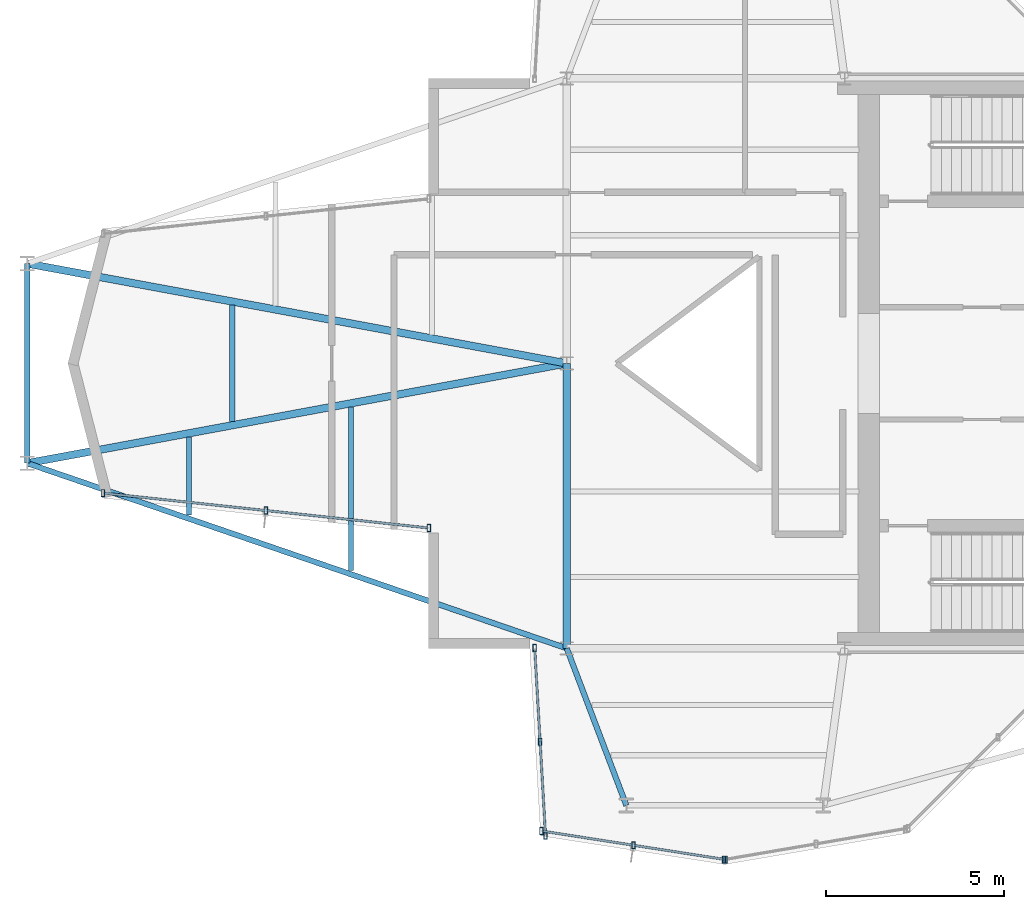
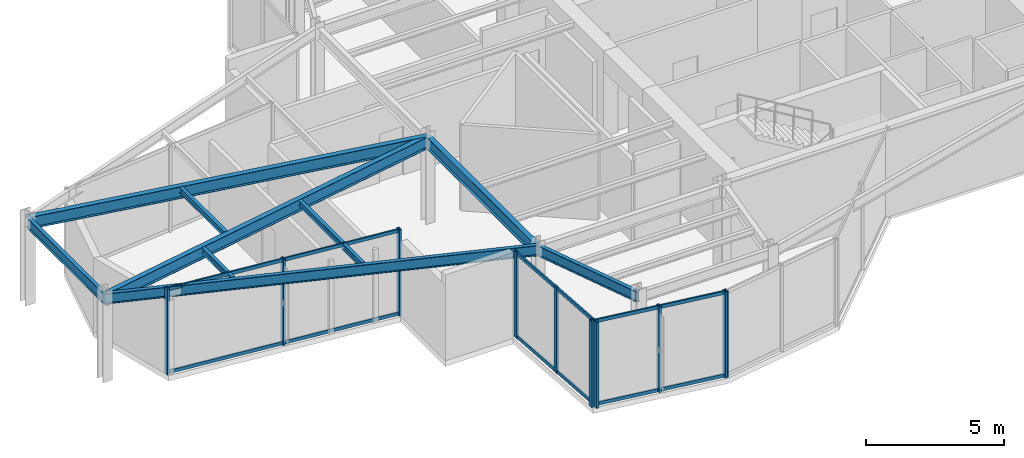
# One storey, part 2 of 13: 16 members, 9 beams, 4 elements without a shape of their own.
"""IFC4 building model written with IfcOpenShell, lengths in metres."""

from ifc_helpers import new_model, si_unit, direction, frame, origin, origin_2d, place, context, subcontext, project, spatial, hollow_rectangle, i_section, extrude, material, layer, layer_set, material_profile, profile_set, type_object, element, aggregate, save


model = new_model("IFC4")

# Units and contexts
model_context = context("Model", 3, precision=1e-05, world=origin(), true_north=direction((0.0, 1.0)))
body_context = subcontext(model_context, "Body", "Model", "MODEL_VIEW")
ifc_project = project(units=[si_unit("LENGTHUNIT", "METRE"), si_unit("AREAUNIT", "SQUARE_METRE"), si_unit("VOLUMEUNIT", "CUBIC_METRE"), si_unit("PLANEANGLEUNIT", "RADIAN"), si_unit("MASSUNIT", "GRAM", prefix="KILO")], contexts=[model_context])

# Site, building, storey
site_placement = place(None, origin())
site = spatial("IfcSite", under=ifc_project, at=site_placement, CompositionType="ELEMENT")
building_placement = place(site_placement, origin())
building = spatial("IfcBuilding", under=site, at=building_placement, Name="Veymaron Broadcast Tower", CompositionType="ELEMENT")
storey_placement = place(building_placement, frame((0.0, 0.0, 303.300048828125)))
storey = spatial("IfcBuildingStorey", under=building, at=storey_placement, Name="L71", CompositionType="ELEMENT", Elevation=303.300048828125)

# Beams
ifc_material_1 = material(Name="Structural steel ASTM A992 Gr 50", Category="steel")
ifc_material_profile_1 = material_profile(ifc_material_1, i_section(OverallWidth=0.208984375, OverallDepth=0.528076171875, WebThickness=0.009521484375, FlangeThickness=0.01318359375, at=origin_2d()), Name="W530X82")
ifc_profile_set_1 = profile_set([ifc_material_profile_1], Name="Structural steel ASTM A992 Gr 50")
beam_type_1 = type_object("IfcBeamType", Name="BM-FG4", PredefinedType="BEAM", material=ifc_profile_set_1)
beam_1_placement = place(storey_placement, frame((31.199951171875, 16.0, 3.5458984375), z_axis=(0.0, 1.0, 0.0), x_axis=(-1.0, 0.0, 0.0)))
element("IfcBeam", 1, at=beam_1_placement, inside=storey, type_object=beam_type_1, Name="L71 primary structural floor girder", PredefinedType="BEAM", context=body_context, shape_type="SweptSolid", body=[
    extrude(i_section(OverallWidth=0.208984375, OverallDepth=0.528076171875, WebThickness=0.009521484375, FlangeThickness=0.01318359375, at=origin_2d()), origin(), (0.0, 0.0, 1.0), 8.0),
])
for number, where, z_axis, x_axis, name in (
    (2, (16.052490234375, 21.197998046875, 3.5458984375), (0.98331782422, 0.181895729943, 0.0), (-0.181895729943, 0.98331782422, 0.0), "L71 primary structural floor girder"),
    (3, (16.052490234375, 26.802001953125, 3.5458984375), (0.98331782422, -0.181895729943, 0.0), (0.181895729943, 0.98331782422, 0.0), "L71 primary structural floor girder"),
):
    element("IfcBeam", number, at=place(storey_placement, frame(where, z_axis=z_axis, x_axis=x_axis)), inside=storey, type_object=beam_type_1, Name=name, PredefinedType="BEAM", context=body_context, shape_type="SweptSolid", body=[
        extrude(i_section(OverallWidth=0.208984375, OverallDepth=0.528076171875, WebThickness=0.009521484375, FlangeThickness=0.01318359375, at=origin_2d()), origin(), (0.0, 0.0, 1.0), 15.404541015625),
    ])
ifc_material_profile_2 = material_profile(ifc_material_1, i_section(OverallWidth=0.14599609375, OverallDepth=0.258056640625, WebThickness=0.006103515625, FlangeThickness=0.009033203125, at=origin_2d()), Name="W250X33")
ifc_profile_set_2 = profile_set([ifc_material_profile_2], Name="Structural steel ASTM A992 Gr 50")
beam_type_2 = type_object("IfcBeamType", Name="BM-JS4", PredefinedType="JOIST", material=ifc_profile_set_2)
beam_2_placement = place(storey_placement, frame((20.5966796875, 19.738525390625, 3.680908203125), z_axis=(0.0, 1.0, 0.0), x_axis=(-1.0, 0.0, 0.0)))
element("IfcBeam", 4, at=beam_2_placement, inside=storey, type_object=beam_type_2, Name="L71 Arm-A secondary joist 1S", PredefinedType="JOIST", context=body_context, shape_type="SweptSolid", body=[
    extrude(i_section(OverallWidth=0.14599609375, OverallDepth=0.258056640625, WebThickness=0.006103515625, FlangeThickness=0.009033203125, at=origin_2d()), origin(), (0.0, 0.0, 1.0), 2.2001953125),
])
beam_3_placement = place(storey_placement, frame((21.80859375, 22.36279296875, 3.680908203125), z_axis=(0.0, 1.0, 0.0), x_axis=(-1.0, 0.0, 0.0)))
element("IfcBeam", 5, at=beam_3_placement, inside=storey, type_object=beam_type_2, Name="L71 Arm-A secondary joist 1M", PredefinedType="JOIST", context=body_context, shape_type="SweptSolid", body=[
    extrude(i_section(OverallWidth=0.14599609375, OverallDepth=0.258056640625, WebThickness=0.006103515625, FlangeThickness=0.009033203125, at=origin_2d()), origin(), (0.0, 0.0, 1.0), 3.2744140625),
])
beam_4_placement = place(storey_placement, frame((25.14111328125, 18.17919921875, 3.680908203125), z_axis=(0.0, 1.0, 0.0), x_axis=(-1.0, 0.0, 0.0)))
element("IfcBeam", 6, at=beam_4_placement, inside=storey, type_object=beam_type_2, Name="L71 Arm-A secondary joist 2S", PredefinedType="JOIST", context=body_context, shape_type="SweptSolid", body=[
    extrude(i_section(OverallWidth=0.14599609375, OverallDepth=0.258056640625, WebThickness=0.006103515625, FlangeThickness=0.009033203125, at=origin_2d()), origin(), (0.0, 0.0, 1.0), 4.60009765625),
])
ifc_material_profile_3 = material_profile(ifc_material_1, i_section(OverallWidth=0.154052734375, OverallDepth=0.458984375, WebThickness=0.009033203125, FlangeThickness=0.015380859375, at=origin_2d()), Name="W460X68")
ifc_profile_set_3 = profile_set([ifc_material_profile_3], Name="Structural steel ASTM A992 Gr 50")
beam_type_3 = type_object("IfcBeamType", Name="BM-SP2", PredefinedType="SPANDREL", material=ifc_profile_set_3)
beam_5_placement = place(storey_placement, frame((16.052490234375, 21.197998046875, 3.58056640625), z_axis=(0.94585811637, -0.324580380949, 0.0), x_axis=(0.324580380949, 0.94585811637, 0.0)))
element("IfcBeam", 7, at=beam_5_placement, inside=storey, type_object=beam_type_3, Name="L71 primary structural floor girder", PredefinedType="SPANDREL", context=body_context, shape_type="SweptSolid", body=[
    extrude(i_section(OverallWidth=0.154052734375, OverallDepth=0.458984375, WebThickness=0.009033203125, FlangeThickness=0.015380859375, at=origin_2d()), origin(), (0.0, 0.0, 1.0), 16.014404296875),
])
beam_6_placement = place(storey_placement, frame((16.052490234375, 21.197998046875, 3.58056640625), z_axis=(0.0, 1.0, 0.0), x_axis=(-1.0, 0.0, 0.0)))
element("IfcBeam", 8, at=beam_6_placement, inside=storey, type_object=beam_type_3, Name="L71 primary structural floor girder", PredefinedType="SPANDREL", context=body_context, shape_type="SweptSolid", body=[
    extrude(i_section(OverallWidth=0.154052734375, OverallDepth=0.458984375, WebThickness=0.009033203125, FlangeThickness=0.015380859375, at=origin_2d()), origin(), (0.0, 0.0, 1.0), 5.60400390625),
])
beam_7_placement = place(storey_placement, frame((31.199951171875, 16.0, 3.58056640625), z_axis=(0.354839811516, -0.934927113824, 0.0), x_axis=(0.934927113824, 0.354839811516, 0.0)))
element("IfcBeam", 9, at=beam_7_placement, inside=storey, type_object=beam_type_3, Name="L71 primary structural floor girder", PredefinedType="SPANDREL", context=body_context, shape_type="SweptSolid", body=[
    extrude(i_section(OverallWidth=0.154052734375, OverallDepth=0.458984375, WebThickness=0.009033203125, FlangeThickness=0.015380859375, at=origin_2d()), origin(), (0.0, 0.0, 1.0), 4.71923828125),
])

# Curtain wall, members
ifc_material_2 = material(Name="Anodised aluminium AA 6063-T6 and laminated low-E dark glass", Category="aluminium")
ifc_layer = layer(ifc_material_2, 0.179931640625)
ifc_layer_set = layer_set([ifc_layer], Name="Anodised aluminium AA 6063-T6 and laminated low-E dark glass")
curtain_wall_type = type_object("IfcCurtainWallType", Name="CW-SYS-06", PredefinedType="NOTDEFINED", material=ifc_layer_set)
curtain_wall_1_placement = place(storey_placement, origin())
curtain_wall_1 = element("IfcCurtainWall", 10, at=curtain_wall_1_placement, inside=storey, type_object=curtain_wall_type, Name="L71 dark-glass curtain wall CW-L71-E14-1", PredefinedType="NOTDEFINED")
ifc_material_3 = material(Name="Anodised aluminium AA 6063-T6", Category="aluminium")
ifc_material_profile_4 = material_profile(ifc_material_3, hollow_rectangle(XDim=0.10009765625, YDim=0.199951171875, WallThickness=0.010009765625, at=origin_2d()), Name="RHS200X100X10")
ifc_profile_set_4 = profile_set([ifc_material_profile_4], Name="Anodised aluminium AA 6063-T6")
member_type_1 = type_object("IfcMemberType", Name="CW-MUL-01", PredefinedType="MULLION", material=ifc_profile_set_4)
member_1_placement = place(storey_placement, frame((18.1748046875, 20.35888671875, 0.0), z_axis=(0.0, 0.0, 1.0), x_axis=(1.0, 0.0, 0.0)))
member_1 = element("IfcMember", 11, at=member_1_placement, type_object=member_type_1, Name="CW-L71-E14-1 mullion 0", PredefinedType="MULLION", context=body_context, shape_type="SweptSolid", body=[
    extrude(hollow_rectangle(XDim=0.10009765625, YDim=0.199951171875, WallThickness=0.010009765625, at=origin_2d()), origin(), (0.0, 0.0, 1.0), 3.81005859375),
])
member_2_placement = place(storey_placement, frame((22.751708984375, 19.869140625, 0.0), z_axis=(0.0, 0.0, 1.0), x_axis=(1.0, 0.0, 0.0)))
member_2 = element("IfcMember", 12, at=member_2_placement, type_object=member_type_1, Name="CW-L71-E14-1 mullion 1", PredefinedType="MULLION", context=body_context, shape_type="SweptSolid", body=[
    extrude(hollow_rectangle(XDim=0.10009765625, YDim=0.199951171875, WallThickness=0.010009765625, at=origin_2d()), origin(), (0.0, 0.0, 1.0), 3.81005859375),
])
member_3_placement = place(storey_placement, frame((27.32861328125, 19.37939453125, 0.0), z_axis=(0.0, 0.0, 1.0), x_axis=(1.0, 0.0, 0.0)))
member_3 = element("IfcMember", 13, at=member_3_placement, type_object=member_type_1, Name="CW-L71-E14-1 mullion 2", PredefinedType="MULLION", context=body_context, shape_type="SweptSolid", body=[
    extrude(hollow_rectangle(XDim=0.10009765625, YDim=0.199951171875, WallThickness=0.010009765625, at=origin_2d()), origin(), (0.0, 0.0, 1.0), 3.81005859375),
])

curtain_wall_2_placement = place(storey_placement, origin())
curtain_wall_2 = element("IfcCurtainWall", 14, at=curtain_wall_2_placement, inside=storey, type_object=curtain_wall_type, Name="L71 dark-glass curtain wall CW-L71-E17-1", PredefinedType="NOTDEFINED")
member_4_placement = place(storey_placement, frame((30.2998046875, 16.008056640625, 0.0), z_axis=(0.0, 0.0, 1.0), x_axis=(1.0, 0.0, 0.0)))
member_4 = element("IfcMember", 15, at=member_4_placement, type_object=member_type_1, Name="CW-L71-E17-1 mullion 0", PredefinedType="MULLION", context=body_context, shape_type="SweptSolid", body=[
    extrude(hollow_rectangle(XDim=0.10009765625, YDim=0.199951171875, WallThickness=0.010009765625, at=origin_2d()), origin(), (0.0, 0.0, 1.0), 3.81005859375),
])
member_5_placement = place(storey_placement, frame((30.451904296875, 13.37548828125, 0.0), z_axis=(0.0, 0.0, 1.0), x_axis=(1.0, 0.0, 0.0)))
member_5 = element("IfcMember", 16, at=member_5_placement, type_object=member_type_1, Name="CW-L71-E17-1 mullion 1", PredefinedType="MULLION", context=body_context, shape_type="SweptSolid", body=[
    extrude(hollow_rectangle(XDim=0.10009765625, YDim=0.199951171875, WallThickness=0.010009765625, at=origin_2d()), origin(), (0.0, 0.0, 1.0), 3.81005859375),
])
member_6_placement = place(storey_placement, frame((30.60400390625, 10.742919921875, 0.0), z_axis=(0.0, 0.0, 1.0), x_axis=(1.0, 0.0, 0.0)))
member_6 = element("IfcMember", 17, at=member_6_placement, type_object=member_type_1, Name="CW-L71-E17-1 mullion 2", PredefinedType="MULLION", context=body_context, shape_type="SweptSolid", body=[
    extrude(hollow_rectangle(XDim=0.10009765625, YDim=0.199951171875, WallThickness=0.010009765625, at=origin_2d()), origin(), (0.0, 0.0, 1.0), 3.81005859375),
])

curtain_wall_3_placement = place(storey_placement, origin())
curtain_wall_3 = element("IfcCurtainWall", 18, at=curtain_wall_3_placement, inside=storey, type_object=curtain_wall_type, Name="L71 dark-glass curtain wall CW-L71-E18-1", PredefinedType="NOTDEFINED")
member_7_placement = place(storey_placement, frame((30.48583984375, 10.873046875, 0.0), z_axis=(0.0, 0.0, 1.0), x_axis=(1.0, 0.0, 0.0)))
member_7 = element("IfcMember", 19, at=member_7_placement, type_object=member_type_1, Name="CW-L71-E18-1 mullion 0", PredefinedType="MULLION", context=body_context, shape_type="SweptSolid", body=[
    extrude(hollow_rectangle(XDim=0.10009765625, YDim=0.199951171875, WallThickness=0.010009765625, at=origin_2d()), origin(), (0.0, 0.0, 1.0), 3.81005859375),
])
member_8_placement = place(storey_placement, frame((33.072265625, 10.47119140625, 0.0), z_axis=(0.0, 0.0, 1.0), x_axis=(1.0, 0.0, 0.0)))
member_8 = element("IfcMember", 20, at=member_8_placement, type_object=member_type_1, Name="CW-L71-E18-1 mullion 1", PredefinedType="MULLION", context=body_context, shape_type="SweptSolid", body=[
    extrude(hollow_rectangle(XDim=0.10009765625, YDim=0.199951171875, WallThickness=0.010009765625, at=origin_2d()), origin(), (0.0, 0.0, 1.0), 3.81005859375),
])
member_9_placement = place(storey_placement, frame((35.65869140625, 10.069091796875, 0.0), z_axis=(0.0, 0.0, 1.0), x_axis=(1.0, 0.0, 0.0)))
member_9 = element("IfcMember", 21, at=member_9_placement, type_object=member_type_1, Name="CW-L71-E18-1 mullion 2", PredefinedType="MULLION", context=body_context, shape_type="SweptSolid", body=[
    extrude(hollow_rectangle(XDim=0.10009765625, YDim=0.199951171875, WallThickness=0.010009765625, at=origin_2d()), origin(), (0.0, 0.0, 1.0), 3.81005859375),
])

# Curtain wall, member
curtain_wall_4_placement = place(storey_placement, origin())
curtain_wall_4 = element("IfcCurtainWall", 22, at=curtain_wall_4_placement, inside=storey, type_object=curtain_wall_type, Name="L71 dark-glass curtain wall CW-L71-E19-1", PredefinedType="NOTDEFINED")
member_10_placement = place(storey_placement, frame((35.613525390625, 10.06884765625, 0.0), z_axis=(0.0, 0.0, 1.0), x_axis=(1.0, 0.0, 0.0)))
member_10 = element("IfcMember", 23, at=member_10_placement, type_object=member_type_1, Name="CW-L71-E19-1 mullion 0", PredefinedType="MULLION", context=body_context, shape_type="SweptSolid", body=[
    extrude(hollow_rectangle(XDim=0.10009765625, YDim=0.199951171875, WallThickness=0.010009765625, at=origin_2d()), origin(), (0.0, 0.0, 1.0), 3.81005859375),
])
aggregate(curtain_wall_4, [member_10])

# Member
ifc_material_profile_5 = material_profile(ifc_material_3, hollow_rectangle(XDim=0.06494140625, YDim=0.14990234375, WallThickness=0.00390625, at=origin_2d()), Name="AL150X65X4")
ifc_profile_set_5 = profile_set([ifc_material_profile_5], Name="Anodised aluminium AA 6063-T6")
member_type_2 = type_object("IfcMemberType", Name="CW-TRN-01", PredefinedType="USERDEFINED", material=ifc_profile_set_5)
member_11_placement = place(storey_placement, frame((18.224609375, 20.353759765625, 0.070068359375), z_axis=(0.994319089673, -0.106440349081, 0.0), x_axis=(0.106440349081, 0.994319089673, 0.0)))
member_11 = element("IfcMember", 24, at=member_11_placement, type_object=member_type_2, Name="CW-L71-E14-1 transom B", ObjectType="TRANSOM", PredefinedType="USERDEFINED", context=body_context, shape_type="SweptSolid", body=[
    extrude(hollow_rectangle(XDim=0.06494140625, YDim=0.14990234375, WallThickness=0.00390625, at=origin_2d()), origin(), (0.0, 0.0, 1.0), 9.10595703125),
])

member_12_placement = place(storey_placement, frame((18.224609375, 20.353759765625, 3.739990234375), z_axis=(0.994319089673, -0.106440349081, 0.0), x_axis=(0.106440349081, 0.994319089673, 0.0)))
member_12 = element("IfcMember", 25, at=member_12_placement, type_object=member_type_2, Name="CW-L71-E14-1 transom T", ObjectType="TRANSOM", PredefinedType="USERDEFINED", context=body_context, shape_type="SweptSolid", body=[
    extrude(hollow_rectangle(XDim=0.06494140625, YDim=0.14990234375, WallThickness=0.00390625, at=origin_2d()), origin(), (0.0, 0.0, 1.0), 9.10595703125),
])

aggregate(curtain_wall_1, [member_1, member_2, member_3, member_11, member_12])

member_13_placement = place(storey_placement, frame((30.302490234375, 15.958251953125, 0.070068359375), z_axis=(0.0577538974, -0.998330850638, 0.0), x_axis=(0.998330850638, 0.0577538974, 0.0)))
member_13 = element("IfcMember", 26, at=member_13_placement, type_object=member_type_2, Name="CW-L71-E17-1 transom B", ObjectType="TRANSOM", PredefinedType="USERDEFINED", context=body_context, shape_type="SweptSolid", body=[
    extrude(hollow_rectangle(XDim=0.06494140625, YDim=0.14990234375, WallThickness=0.00390625, at=origin_2d()), origin(), (0.0, 0.0, 1.0), 5.174072265625),
])

member_14_placement = place(storey_placement, frame((30.302490234375, 15.958251953125, 3.739990234375), z_axis=(0.0577538974, -0.998330850638, 0.0), x_axis=(0.998330850638, 0.0577538974, 0.0)))
member_14 = element("IfcMember", 27, at=member_14_placement, type_object=member_type_2, Name="CW-L71-E17-1 transom T", ObjectType="TRANSOM", PredefinedType="USERDEFINED", context=body_context, shape_type="SweptSolid", body=[
    extrude(hollow_rectangle(XDim=0.06494140625, YDim=0.14990234375, WallThickness=0.00390625, at=origin_2d()), origin(), (0.0, 0.0, 1.0), 5.174072265625),
])

aggregate(curtain_wall_2, [member_4, member_5, member_6, member_13, member_14])

member_15_placement = place(storey_placement, frame((30.53515625, 10.865478515625, 0.070068359375), z_axis=(0.988138602753, -0.153564650062, 0.0), x_axis=(0.153564650062, 0.988138602753, 0.0)))
member_15 = element("IfcMember", 28, at=member_15_placement, type_object=member_type_2, Name="CW-L71-E18-1 transom B", ObjectType="TRANSOM", PredefinedType="USERDEFINED", context=body_context, shape_type="SweptSolid", body=[
    extrude(hollow_rectangle(XDim=0.06494140625, YDim=0.14990234375, WallThickness=0.00390625, at=origin_2d()), origin(), (0.0, 0.0, 1.0), 5.135009765625),
])

member_16_placement = place(storey_placement, frame((30.53515625, 10.865478515625, 3.739990234375), z_axis=(0.988138602753, -0.153564650062, 0.0), x_axis=(0.153564650062, 0.988138602753, 0.0)))
member_16 = element("IfcMember", 29, at=member_16_placement, type_object=member_type_2, Name="CW-L71-E18-1 transom T", ObjectType="TRANSOM", PredefinedType="USERDEFINED", context=body_context, shape_type="SweptSolid", body=[
    extrude(hollow_rectangle(XDim=0.06494140625, YDim=0.14990234375, WallThickness=0.00390625, at=origin_2d()), origin(), (0.0, 0.0, 1.0), 5.135009765625),
])

aggregate(curtain_wall_3, [member_7, member_8, member_9, member_15, member_16])

save(model, "model.ifc")
